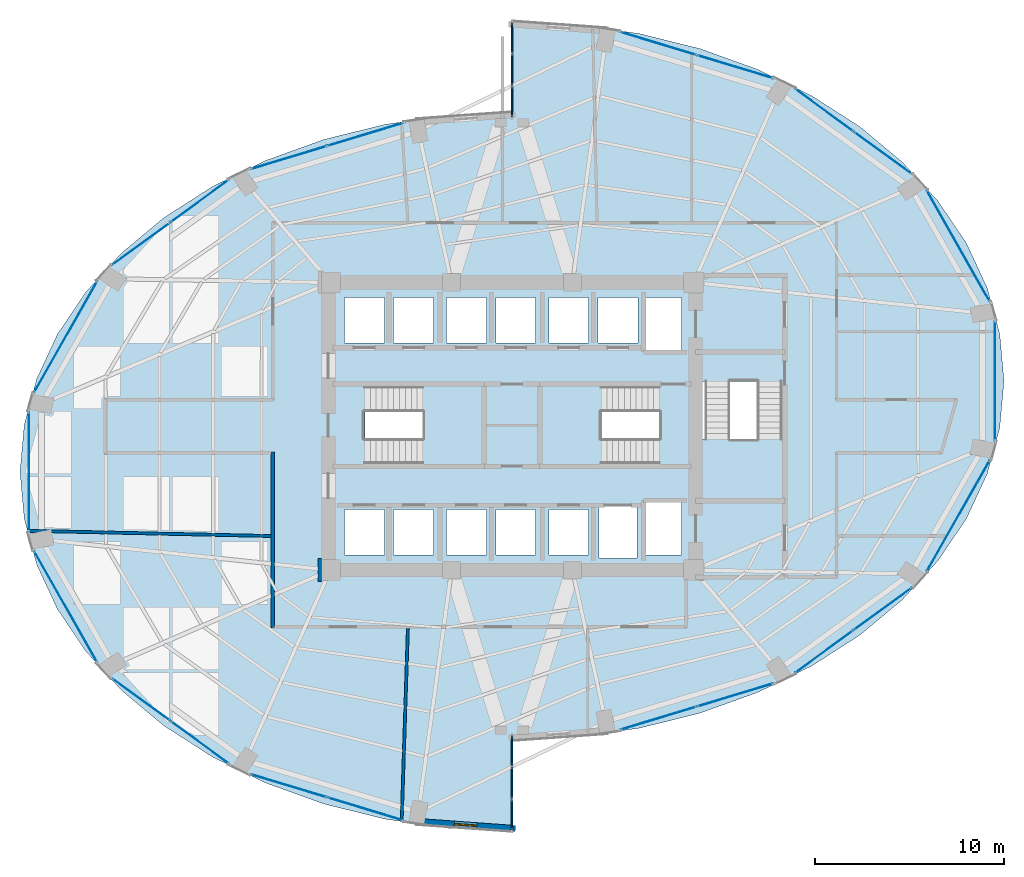
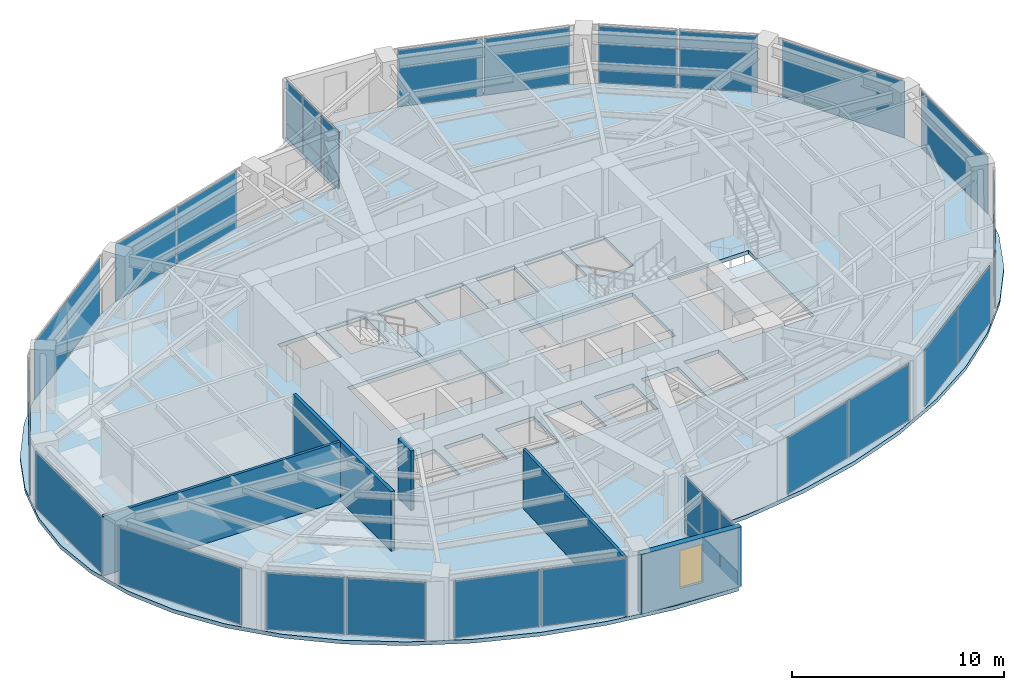
# One storey, part 19 of 24: 34 plates, 5 walls, 4 slabs, 1 window, 1 opening, 19 elements without a shape of their own.
"""IFC4 building model written with IfcOpenShell, lengths in metres."""

from ifc_helpers import new_model, si_unit, direction, frame, frame_2d, origin, origin_2d, place, context, subcontext, project, spatial, polyline, rectangle, outline, extrude, material, layer, layer_set, type_object, element, fill, aggregate, save


model = new_model("IFC4")

# Units and contexts
model_context = context("Model", 3, precision=1e-05, world=origin(), true_north=direction((0.0, 1.0)))
body_context = subcontext(model_context, "Body", "Model", "MODEL_VIEW")
ifc_project = project(units=[si_unit("LENGTHUNIT", "METRE"), si_unit("AREAUNIT", "SQUARE_METRE"), si_unit("VOLUMEUNIT", "CUBIC_METRE"), si_unit("PLANEANGLEUNIT", "RADIAN"), si_unit("MASSUNIT", "GRAM", prefix="KILO")], contexts=[model_context])

# Site, building, storey
site_placement = place(None, origin())
site = spatial("IfcSite", under=ifc_project, at=site_placement, CompositionType="ELEMENT")
building_placement = place(site_placement, origin())
building = spatial("IfcBuilding", under=site, at=building_placement, Name="Lazwardi Medical Tower", CompositionType="ELEMENT")
storey_placement = place(building_placement, frame((0.0, 0.0, 103.632080078125)))
storey = spatial("IfcBuildingStorey", under=building, at=storey_placement, Name="L26", CompositionType="ELEMENT", Elevation=103.632080078125)

# Curtain wall, plates
ifc_material_1 = material(Name="Anodised bronze aluminium and solar control glazing", Category="aluminium")
ifc_layer_1 = layer(ifc_material_1, 0.195068359375)
ifc_layer_set_1 = layer_set([ifc_layer_1], Name="Anodised bronze aluminium and solar control glazing")
curtain_wall_type_1 = type_object("IfcCurtainWallType", Name="CW-SYS-03", PredefinedType="NOTDEFINED", material=ifc_layer_set_1)
curtain_wall_1_placement = place(storey_placement, origin())
curtain_wall_1 = element("IfcCurtainWall", 1, at=curtain_wall_1_placement, inside=storey, type_object=curtain_wall_type_1, Name="L26 Unitised bronze curtain wall CW-03", PredefinedType="NOTDEFINED")
ifc_material_2 = material(Name="Low-e bronze solar control double glazing", Category="glass")
ifc_layer_2 = layer(ifc_material_2, 0.035888671875)
ifc_layer_set_2 = layer_set([ifc_layer_2], Name="Low-e bronze solar control double glazing")
plate_type_1 = type_object("IfcPlateType", Name="PLT-GLZ-01", PredefinedType="CURTAIN_PANEL", material=ifc_layer_set_2)
plate_1_placement = place(storey_placement, frame((43.73974609375, 12.573486328125, 0.07470703125), z_axis=(0.0, 0.0, 1.0), x_axis=(0.957216170558, 0.28937381157, 0.0)))
plate_1 = element("IfcPlate", 2, at=plate_1_placement, type_object=plate_type_1, Name="CW-03 panel 1.1", PredefinedType="CURTAIN_PANEL", context=body_context, shape_type="SweptSolid", body=[
    extrude(rectangle(XDim=4.16552734375, YDim=0.035888671875, at=origin_2d()), origin(), (0.0, 0.0, 1.0), 3.278076171875),
])
plate_2_placement = place(storey_placement, frame((47.798828125, 13.800537109375, 0.07470703125), z_axis=(0.0, 0.0, 1.0), x_axis=(0.957216170558, 0.28937381157, 0.0)))
plate_2 = element("IfcPlate", 3, at=plate_2_placement, type_object=plate_type_1, Name="CW-03 panel 2.1", PredefinedType="CURTAIN_PANEL", context=body_context, shape_type="SweptSolid", body=[
    extrude(rectangle(XDim=4.16552734375, YDim=0.035888671875, at=origin_2d()), origin(), (0.0, 0.0, 1.0), 3.278076171875),
])
aggregate(curtain_wall_1, [plate_1, plate_2])

curtain_wall_2_placement = place(storey_placement, origin())
curtain_wall_2 = element("IfcCurtainWall", 4, at=curtain_wall_2_placement, inside=storey, type_object=curtain_wall_type_1, Name="L26 Unitised bronze curtain wall CW-03", PredefinedType="NOTDEFINED")
plate_3_placement = place(storey_placement, frame((52.4990234375, 16.093017578125, 0.07470703125), z_axis=(0.0, 0.0, 1.0), x_axis=(0.807745837639, 0.589530882802, 0.0)))
plate_3 = element("IfcPlate", 5, at=plate_3_placement, type_object=plate_type_1, Name="CW-03 panel 1.1", PredefinedType="CURTAIN_PANEL", context=body_context, shape_type="SweptSolid", body=[
    extrude(rectangle(XDim=3.767578125, YDim=0.035888671875, at=origin_2d()), origin(), (0.0, 0.0, 1.0), 3.278076171875),
])
plate_4_placement = place(storey_placement, frame((55.60302734375, 18.3583984375, 0.07470703125), z_axis=(0.0, 0.0, 1.0), x_axis=(0.807745837639, 0.589530882802, 0.0)))
plate_4 = element("IfcPlate", 6, at=plate_4_placement, type_object=plate_type_1, Name="CW-03 panel 2.1", PredefinedType="CURTAIN_PANEL", context=body_context, shape_type="SweptSolid", body=[
    extrude(rectangle(XDim=3.767578125, YDim=0.035888671875, at=origin_2d()), origin(), (0.0, 0.0, 1.0), 3.278076171875),
])
aggregate(curtain_wall_2, [plate_3, plate_4])

# Curtain wall, plate
curtain_wall_3_placement = place(storey_placement, origin())
curtain_wall_3 = element("IfcCurtainWall", 7, at=curtain_wall_3_placement, inside=storey, type_object=curtain_wall_type_1, Name="L26 Unitised bronze curtain wall CW-03", PredefinedType="NOTDEFINED")
plate_5_placement = place(storey_placement, frame((59.5849609375, 23.270263671875, 0.07470703125), z_axis=(0.0, 0.0, 1.0), x_axis=(0.493603140041, 0.869687265712, 0.0)))
plate_5 = element("IfcPlate", 8, at=plate_5_placement, type_object=plate_type_1, Name="CW-03 panel 1.1", PredefinedType="CURTAIN_PANEL", context=body_context, shape_type="SweptSolid", body=[
    extrude(rectangle(XDim=6.722900390625, YDim=0.035888671875, at=origin_2d()), origin(), (0.0, 0.0, 1.0), 3.278076171875),
])
aggregate(curtain_wall_3, [plate_5])

curtain_wall_4_placement = place(storey_placement, origin())
curtain_wall_4 = element("IfcCurtainWall", 9, at=curtain_wall_4_placement, inside=storey, type_object=curtain_wall_type_1, Name="L26 Unitised bronze curtain wall CW-03", PredefinedType="NOTDEFINED")
plate_6_placement = place(storey_placement, frame((61.528076171875, 30.39990234375, 0.07470703125), z_axis=(0.0, 0.0, 1.0), x_axis=(0.0, 1.0, 0.0)))
plate_6 = element("IfcPlate", 10, at=plate_6_placement, type_object=plate_type_1, Name="CW-03 panel 1.1", PredefinedType="CURTAIN_PANEL", context=body_context, shape_type="SweptSolid", body=[
    extrude(rectangle(XDim=6.31982421875, YDim=0.035888671875, at=origin_2d()), origin(), (0.0, 0.0, 1.0), 3.278076171875),
])
aggregate(curtain_wall_4, [plate_6])

curtain_wall_5_placement = place(storey_placement, origin())
curtain_wall_5 = element("IfcCurtainWall", 11, at=curtain_wall_5_placement, inside=storey, type_object=curtain_wall_type_1, Name="L26 Unitised bronze curtain wall CW-03", PredefinedType="NOTDEFINED")
plate_7_placement = place(storey_placement, frame((59.5849609375, 37.52978515625, 0.07470703125), z_axis=(0.0, 0.0, 1.0), x_axis=(-0.493603140041, 0.869687265712, 0.0)))
plate_7 = element("IfcPlate", 12, at=plate_7_placement, type_object=plate_type_1, Name="CW-03 panel 1.1", PredefinedType="CURTAIN_PANEL", context=body_context, shape_type="SweptSolid", body=[
    extrude(rectangle(XDim=6.722900390625, YDim=0.035888671875, at=origin_2d()), origin(), (0.0, 0.0, 1.0), 3.278076171875),
])
aggregate(curtain_wall_5, [plate_7])

# Curtain wall, plates
curtain_wall_6_placement = place(storey_placement, origin())
curtain_wall_6 = element("IfcCurtainWall", 13, at=curtain_wall_6_placement, inside=storey, type_object=curtain_wall_type_1, Name="L26 Unitised bronze curtain wall CW-03", PredefinedType="NOTDEFINED")
plate_8_placement = place(storey_placement, frame((55.60302734375, 42.441650390625, 0.07470703125), z_axis=(0.0, 0.0, 1.0), x_axis=(-0.807745837639, 0.589530882802, 0.0)))
plate_8 = element("IfcPlate", 14, at=plate_8_placement, type_object=plate_type_1, Name="CW-03 panel 1.1", PredefinedType="CURTAIN_PANEL", context=body_context, shape_type="SweptSolid", body=[
    extrude(rectangle(XDim=3.767578125, YDim=0.035888671875, at=origin_2d()), origin(), (0.0, 0.0, 1.0), 3.278076171875),
])
plate_9_placement = place(storey_placement, frame((52.4990234375, 44.70703125, 0.07470703125), z_axis=(0.0, 0.0, 1.0), x_axis=(-0.807745837639, 0.589530882802, 0.0)))
plate_9 = element("IfcPlate", 15, at=plate_9_placement, type_object=plate_type_1, Name="CW-03 panel 2.1", PredefinedType="CURTAIN_PANEL", context=body_context, shape_type="SweptSolid", body=[
    extrude(rectangle(XDim=3.767578125, YDim=0.035888671875, at=origin_2d()), origin(), (0.0, 0.0, 1.0), 3.278076171875),
])
aggregate(curtain_wall_6, [plate_8, plate_9])

curtain_wall_7_placement = place(storey_placement, origin())
curtain_wall_7 = element("IfcCurtainWall", 16, at=curtain_wall_7_placement, inside=storey, type_object=curtain_wall_type_1, Name="L26 Unitised bronze curtain wall CW-03", PredefinedType="NOTDEFINED")
plate_10_placement = place(storey_placement, frame((47.798828125, 46.99951171875, 0.07470703125), z_axis=(0.0, 0.0, 1.0), x_axis=(-0.957216170558, 0.28937381157, 0.0)))
plate_10 = element("IfcPlate", 17, at=plate_10_placement, type_object=plate_type_1, Name="CW-03 panel 1.1", PredefinedType="CURTAIN_PANEL", context=body_context, shape_type="SweptSolid", body=[
    extrude(rectangle(XDim=4.16552734375, YDim=0.035888671875, at=origin_2d()), origin(), (0.0, 0.0, 1.0), 3.278076171875),
])
plate_11_placement = place(storey_placement, frame((43.73974609375, 48.2265625, 0.07470703125), z_axis=(0.0, 0.0, 1.0), x_axis=(-0.957216170558, 0.28937381157, 0.0)))
plate_11 = element("IfcPlate", 18, at=plate_11_placement, type_object=plate_type_1, Name="CW-03 panel 2.1", PredefinedType="CURTAIN_PANEL", context=body_context, shape_type="SweptSolid", body=[
    extrude(rectangle(XDim=4.16552734375, YDim=0.035888671875, at=origin_2d()), origin(), (0.0, 0.0, 1.0), 3.278076171875),
])
aggregate(curtain_wall_7, [plate_10, plate_11])

curtain_wall_8_placement = place(storey_placement, origin())
curtain_wall_8 = element("IfcCurtainWall", 19, at=curtain_wall_8_placement, inside=storey, type_object=curtain_wall_type_1, Name="L26 Unitised bronze curtain wall CW-03", PredefinedType="NOTDEFINED")
plate_12_placement = place(storey_placement, frame((28.26025390625, 43.426513671875, 0.07470703125), z_axis=(0.0, 0.0, 1.0), x_axis=(-0.957216170558, -0.28937381157, 0.0)))
plate_12 = element("IfcPlate", 20, at=plate_12_placement, type_object=plate_type_1, Name="CW-03 panel 1.1", PredefinedType="CURTAIN_PANEL", context=body_context, shape_type="SweptSolid", body=[
    extrude(rectangle(XDim=4.16552734375, YDim=0.035888671875, at=origin_2d()), origin(), (0.0, 0.0, 1.0), 3.278076171875),
])
plate_13_placement = place(storey_placement, frame((24.201171875, 42.199462890625, 0.07470703125), z_axis=(0.0, 0.0, 1.0), x_axis=(-0.957216170558, -0.28937381157, 0.0)))
plate_13 = element("IfcPlate", 21, at=plate_13_placement, type_object=plate_type_1, Name="CW-03 panel 2.1", PredefinedType="CURTAIN_PANEL", context=body_context, shape_type="SweptSolid", body=[
    extrude(rectangle(XDim=4.16552734375, YDim=0.035888671875, at=origin_2d()), origin(), (0.0, 0.0, 1.0), 3.278076171875),
])
aggregate(curtain_wall_8, [plate_12, plate_13])

curtain_wall_9_placement = place(storey_placement, origin())
curtain_wall_9 = element("IfcCurtainWall", 22, at=curtain_wall_9_placement, inside=storey, type_object=curtain_wall_type_1, Name="L26 Unitised bronze curtain wall CW-03", PredefinedType="NOTDEFINED")
plate_14_placement = place(storey_placement, frame((19.5009765625, 39.906982421875, 0.07470703125), z_axis=(0.0, 0.0, 1.0), x_axis=(-0.807745837639, -0.589530882802, 0.0)))
plate_14 = element("IfcPlate", 23, at=plate_14_placement, type_object=plate_type_1, Name="CW-03 panel 1.1", PredefinedType="CURTAIN_PANEL", context=body_context, shape_type="SweptSolid", body=[
    extrude(rectangle(XDim=3.767578125, YDim=0.035888671875, at=origin_2d()), origin(), (0.0, 0.0, 1.0), 3.278076171875),
])
plate_15_placement = place(storey_placement, frame((16.39697265625, 37.6416015625, 0.07470703125), z_axis=(0.0, 0.0, 1.0), x_axis=(-0.807745837639, -0.589530882802, 0.0)))
plate_15 = element("IfcPlate", 24, at=plate_15_placement, type_object=plate_type_1, Name="CW-03 panel 2.1", PredefinedType="CURTAIN_PANEL", context=body_context, shape_type="SweptSolid", body=[
    extrude(rectangle(XDim=3.767578125, YDim=0.035888671875, at=origin_2d()), origin(), (0.0, 0.0, 1.0), 3.278076171875),
])
aggregate(curtain_wall_9, [plate_14, plate_15])

# Curtain wall, plate
curtain_wall_10_placement = place(storey_placement, origin())
curtain_wall_10 = element("IfcCurtainWall", 25, at=curtain_wall_10_placement, inside=storey, type_object=curtain_wall_type_1, Name="L26 Unitised bronze curtain wall CW-03", PredefinedType="NOTDEFINED")
plate_16_placement = place(storey_placement, frame((12.4150390625, 32.729736328125, 0.07470703125), z_axis=(0.0, 0.0, 1.0), x_axis=(-0.493603140041, -0.869687265712, 0.0)))
plate_16 = element("IfcPlate", 26, at=plate_16_placement, type_object=plate_type_1, Name="CW-03 panel 1.1", PredefinedType="CURTAIN_PANEL", context=body_context, shape_type="SweptSolid", body=[
    extrude(rectangle(XDim=6.722900390625, YDim=0.035888671875, at=origin_2d()), origin(), (0.0, 0.0, 1.0), 3.278076171875),
])
aggregate(curtain_wall_10, [plate_16])

curtain_wall_11_placement = place(storey_placement, origin())
curtain_wall_11 = element("IfcCurtainWall", 27, at=curtain_wall_11_placement, inside=storey, type_object=curtain_wall_type_1, Name="L26 Unitised bronze curtain wall CW-03", PredefinedType="NOTDEFINED")
plate_17_placement = place(storey_placement, frame((10.471923828125, 25.60009765625, 0.07470703125), z_axis=(0.0, 0.0, 1.0), x_axis=(0.0, -1.0, 0.0)))
plate_17 = element("IfcPlate", 28, at=plate_17_placement, type_object=plate_type_1, Name="CW-03 panel 1.1", PredefinedType="CURTAIN_PANEL", context=body_context, shape_type="SweptSolid", body=[
    extrude(rectangle(XDim=6.31982421875, YDim=0.035888671875, at=origin_2d()), origin(), (0.0, 0.0, 1.0), 3.278076171875),
])
aggregate(curtain_wall_11, [plate_17])

curtain_wall_12_placement = place(storey_placement, origin())
curtain_wall_12 = element("IfcCurtainWall", 29, at=curtain_wall_12_placement, inside=storey, type_object=curtain_wall_type_1, Name="L26 Unitised bronze curtain wall CW-03", PredefinedType="NOTDEFINED")
plate_18_placement = place(storey_placement, frame((12.4150390625, 18.47021484375, 0.07470703125), z_axis=(0.0, 0.0, 1.0), x_axis=(0.493603140041, -0.869687265712, 0.0)))
plate_18 = element("IfcPlate", 30, at=plate_18_placement, type_object=plate_type_1, Name="CW-03 panel 1.1", PredefinedType="CURTAIN_PANEL", context=body_context, shape_type="SweptSolid", body=[
    extrude(rectangle(XDim=6.722900390625, YDim=0.035888671875, at=origin_2d()), origin(), (0.0, 0.0, 1.0), 3.278076171875),
])
aggregate(curtain_wall_12, [plate_18])

# Curtain wall, plates
curtain_wall_13_placement = place(storey_placement, origin())
curtain_wall_13 = element("IfcCurtainWall", 31, at=curtain_wall_13_placement, inside=storey, type_object=curtain_wall_type_1, Name="L26 Unitised bronze curtain wall CW-03", PredefinedType="NOTDEFINED")
plate_19_placement = place(storey_placement, frame((16.39697265625, 13.558349609375, 0.07470703125), z_axis=(0.0, 0.0, 1.0), x_axis=(0.807745837639, -0.589530882802, 0.0)))
plate_19 = element("IfcPlate", 32, at=plate_19_placement, type_object=plate_type_1, Name="CW-03 panel 1.1", PredefinedType="CURTAIN_PANEL", context=body_context, shape_type="SweptSolid", body=[
    extrude(rectangle(XDim=3.767578125, YDim=0.035888671875, at=origin_2d()), origin(), (0.0, 0.0, 1.0), 3.278076171875),
])
plate_20_placement = place(storey_placement, frame((19.5009765625, 11.29296875, 0.07470703125), z_axis=(0.0, 0.0, 1.0), x_axis=(0.807745837639, -0.589530882802, 0.0)))
plate_20 = element("IfcPlate", 33, at=plate_20_placement, type_object=plate_type_1, Name="CW-03 panel 2.1", PredefinedType="CURTAIN_PANEL", context=body_context, shape_type="SweptSolid", body=[
    extrude(rectangle(XDim=3.767578125, YDim=0.035888671875, at=origin_2d()), origin(), (0.0, 0.0, 1.0), 3.278076171875),
])
aggregate(curtain_wall_13, [plate_19, plate_20])

curtain_wall_14_placement = place(storey_placement, origin())
curtain_wall_14 = element("IfcCurtainWall", 34, at=curtain_wall_14_placement, inside=storey, type_object=curtain_wall_type_1, Name="L26 Unitised bronze curtain wall CW-03", PredefinedType="NOTDEFINED")
plate_21_placement = place(storey_placement, frame((24.201171875, 9.00048828125, 0.07470703125), z_axis=(0.0, 0.0, 1.0), x_axis=(0.957216170558, -0.28937381157, 0.0)))
plate_21 = element("IfcPlate", 35, at=plate_21_placement, type_object=plate_type_1, Name="CW-03 panel 1.1", PredefinedType="CURTAIN_PANEL", context=body_context, shape_type="SweptSolid", body=[
    extrude(rectangle(XDim=4.16552734375, YDim=0.035888671875, at=origin_2d()), origin(), (0.0, 0.0, 1.0), 3.278076171875),
])
plate_22_placement = place(storey_placement, frame((28.26025390625, 7.7734375, 0.07470703125), z_axis=(0.0, 0.0, 1.0), x_axis=(0.957216170558, -0.28937381157, 0.0)))
plate_22 = element("IfcPlate", 36, at=plate_22_placement, type_object=plate_type_1, Name="CW-03 panel 2.1", PredefinedType="CURTAIN_PANEL", context=body_context, shape_type="SweptSolid", body=[
    extrude(rectangle(XDim=4.16552734375, YDim=0.035888671875, at=origin_2d()), origin(), (0.0, 0.0, 1.0), 3.278076171875),
])
aggregate(curtain_wall_14, [plate_21, plate_22])

ifc_layer_3 = layer(ifc_material_1, 0.2099609375)
ifc_layer_set_3 = layer_set([ifc_layer_3], Name="Anodised bronze aluminium and solar control glazing")
curtain_wall_type_2 = type_object("IfcCurtainWallType", Name="CW-SYS-06", PredefinedType="NOTDEFINED", material=ifc_layer_set_3)
curtain_wall_15_placement = place(storey_placement, origin())
curtain_wall_15 = element("IfcCurtainWall", 37, at=curtain_wall_15_placement, inside=storey, type_object=curtain_wall_type_2, Name="L26 Unitised bronze curtain wall CW-06", PredefinedType="NOTDEFINED")
ifc_material_3 = material(Name="Turquoise glazed ceramic insulated panel", Category="glass")
ifc_layer_4 = layer(ifc_material_3, 0.053955078125)
ifc_layer_set_4 = layer_set([ifc_layer_4], Name="Turquoise glazed ceramic insulated panel")
plate_type_2 = type_object("IfcPlateType", Name="PLT-TRQ-01", PredefinedType="CURTAIN_PANEL", material=ifc_layer_set_4)
plate_23_placement = place(storey_placement, frame((36.0, 48.52783203125, 0.074951171875), z_axis=(0.0, 0.0, 1.0), x_axis=(0.0, -1.0, 0.0)))
plate_23 = element("IfcPlate", 38, at=plate_23_placement, type_object=plate_type_2, Name="CW-06 panel 1.1", PredefinedType="CURTAIN_PANEL", context=body_context, shape_type="SweptSolid", body=[
    extrude(rectangle(XDim=1.59423828125, YDim=0.053955078125, at=origin_2d()), origin(), (0.0, 0.0, 1.0), 0.78759765625),
])
plate_24_placement = place(storey_placement, frame((36.0, 48.52783203125, 0.9375), z_axis=(0.0, 0.0, 1.0), x_axis=(0.0, -1.0, 0.0)))
plate_24 = element("IfcPlate", 39, at=plate_24_placement, type_object=plate_type_2, Name="CW-06 panel 1.2", PredefinedType="CURTAIN_PANEL", context=body_context, shape_type="SweptSolid", body=[
    extrude(rectangle(XDim=1.59423828125, YDim=0.053955078125, at=origin_2d()), origin(), (0.0, 0.0, 1.0), 2.41552734375),
])
plate_25_placement = place(storey_placement, frame((36.0, 46.840087890625, 0.074951171875), z_axis=(0.0, 0.0, 1.0), x_axis=(0.0, -1.0, 0.0)))
plate_25 = element("IfcPlate", 40, at=plate_25_placement, type_object=plate_type_2, Name="CW-06 panel 2.1", PredefinedType="CURTAIN_PANEL", context=body_context, shape_type="SweptSolid", body=[
    extrude(rectangle(XDim=1.631591796875, YDim=0.053955078125, at=origin_2d()), origin(), (0.0, 0.0, 1.0), 0.78759765625),
])
plate_26_placement = place(storey_placement, frame((36.0, 46.840087890625, 0.9375), z_axis=(0.0, 0.0, 1.0), x_axis=(0.0, -1.0, 0.0)))
plate_26 = element("IfcPlate", 41, at=plate_26_placement, type_object=plate_type_2, Name="CW-06 panel 2.2", PredefinedType="CURTAIN_PANEL", context=body_context, shape_type="SweptSolid", body=[
    extrude(rectangle(XDim=1.631591796875, YDim=0.053955078125, at=origin_2d()), origin(), (0.0, 0.0, 1.0), 2.41552734375),
])
plate_27_placement = place(storey_placement, frame((36.0, 45.152099609375, 0.074951171875), z_axis=(0.0, 0.0, 1.0), x_axis=(0.0, -1.0, 0.0)))
plate_27 = element("IfcPlate", 42, at=plate_27_placement, type_object=plate_type_2, Name="CW-06 panel 3.1", PredefinedType="CURTAIN_PANEL", context=body_context, shape_type="SweptSolid", body=[
    extrude(rectangle(XDim=1.59423828125, YDim=0.053955078125, at=origin_2d()), origin(), (0.0, 0.0, 1.0), 0.78759765625),
])
plate_28_placement = place(storey_placement, frame((36.0, 45.152099609375, 0.9375), z_axis=(0.0, 0.0, 1.0), x_axis=(0.0, -1.0, 0.0)))
plate_28 = element("IfcPlate", 43, at=plate_28_placement, type_object=plate_type_2, Name="CW-06 panel 3.2", PredefinedType="CURTAIN_PANEL", context=body_context, shape_type="SweptSolid", body=[
    extrude(rectangle(XDim=1.59423828125, YDim=0.053955078125, at=origin_2d()), origin(), (0.0, 0.0, 1.0), 2.41552734375),
])
aggregate(curtain_wall_15, [plate_23, plate_24, plate_25, plate_26, plate_27, plate_28])

curtain_wall_16_placement = place(storey_placement, origin())
curtain_wall_16 = element("IfcCurtainWall", 44, at=curtain_wall_16_placement, inside=storey, type_object=curtain_wall_type_2, Name="L26 Unitised bronze curtain wall CW-06", PredefinedType="NOTDEFINED")
plate_29_placement = place(storey_placement, frame((36.0, 7.47216796875, 0.074951171875), z_axis=(0.0, 0.0, 1.0), x_axis=(0.0, 1.0, 0.0)))
plate_29 = element("IfcPlate", 45, at=plate_29_placement, type_object=plate_type_2, Name="CW-06 panel 1.1", PredefinedType="CURTAIN_PANEL", context=body_context, shape_type="SweptSolid", body=[
    extrude(rectangle(XDim=1.59423828125, YDim=0.053955078125, at=origin_2d()), origin(), (0.0, 0.0, 1.0), 0.78759765625),
])
plate_30_placement = place(storey_placement, frame((36.0, 7.47216796875, 0.9375), z_axis=(0.0, 0.0, 1.0), x_axis=(0.0, 1.0, 0.0)))
plate_30 = element("IfcPlate", 46, at=plate_30_placement, type_object=plate_type_2, Name="CW-06 panel 1.2", PredefinedType="CURTAIN_PANEL", context=body_context, shape_type="SweptSolid", body=[
    extrude(rectangle(XDim=1.59423828125, YDim=0.053955078125, at=origin_2d()), origin(), (0.0, 0.0, 1.0), 2.41552734375),
])
plate_31_placement = place(storey_placement, frame((36.0, 9.159912109375, 0.074951171875), z_axis=(0.0, 0.0, 1.0), x_axis=(0.0, 1.0, 0.0)))
plate_31 = element("IfcPlate", 47, at=plate_31_placement, type_object=plate_type_2, Name="CW-06 panel 2.1", PredefinedType="CURTAIN_PANEL", context=body_context, shape_type="SweptSolid", body=[
    extrude(rectangle(XDim=1.631591796875, YDim=0.053955078125, at=origin_2d()), origin(), (0.0, 0.0, 1.0), 0.78759765625),
])
plate_32_placement = place(storey_placement, frame((36.0, 9.159912109375, 0.9375), z_axis=(0.0, 0.0, 1.0), x_axis=(0.0, 1.0, 0.0)))
plate_32 = element("IfcPlate", 48, at=plate_32_placement, type_object=plate_type_2, Name="CW-06 panel 2.2", PredefinedType="CURTAIN_PANEL", context=body_context, shape_type="SweptSolid", body=[
    extrude(rectangle(XDim=1.631591796875, YDim=0.053955078125, at=origin_2d()), origin(), (0.0, 0.0, 1.0), 2.41552734375),
])
plate_33_placement = place(storey_placement, frame((36.0, 10.847900390625, 0.074951171875), z_axis=(0.0, 0.0, 1.0), x_axis=(0.0, 1.0, 0.0)))
plate_33 = element("IfcPlate", 49, at=plate_33_placement, type_object=plate_type_2, Name="CW-06 panel 3.1", PredefinedType="CURTAIN_PANEL", context=body_context, shape_type="SweptSolid", body=[
    extrude(rectangle(XDim=1.59423828125, YDim=0.053955078125, at=origin_2d()), origin(), (0.0, 0.0, 1.0), 0.78759765625),
])
plate_34_placement = place(storey_placement, frame((36.0, 10.847900390625, 0.9375), z_axis=(0.0, 0.0, 1.0), x_axis=(0.0, 1.0, 0.0)))
plate_34 = element("IfcPlate", 50, at=plate_34_placement, type_object=plate_type_2, Name="CW-06 panel 3.2", PredefinedType="CURTAIN_PANEL", context=body_context, shape_type="SweptSolid", body=[
    extrude(rectangle(XDim=1.59423828125, YDim=0.053955078125, at=origin_2d()), origin(), (0.0, 0.0, 1.0), 2.41552734375),
])
aggregate(curtain_wall_16, [plate_29, plate_30, plate_31, plate_32, plate_33, plate_34])

# Stair, slab
ifc_material_4 = material(Name="Concrete C45/55", Category="concrete")
stair_type = type_object("IfcStairType", Name="STR-WRD", PredefinedType="HALF_TURN_STAIR", material=ifc_material_4)
stair_1_placement = place(storey_placement, origin())
stair_1 = element("IfcStair", 51, at=stair_1_placement, inside=storey, type_object=stair_type, Name="L26 Protected Exit Stair ST1", PredefinedType="HALF_TURN_STAIR")
ifc_layer_5 = layer(ifc_material_4, 0.199951171875)
ifc_layer_set_5 = layer_set([ifc_layer_5], Name="Concrete C45/55")
slab_type_1 = type_object("IfcSlabType", Name="SLB-LND-190", PredefinedType="LANDING", material=ifc_layer_set_5)
slab_1_placement = place(storey_placement, frame((0.0, 0.0, 1.6240234375)))
slab_1 = element("IfcSlab", 52, at=slab_1_placement, type_object=slab_type_1, Name="ST1 landing 1", PredefinedType="LANDING", context=body_context, shape_type="SweptSolid", body=[
    extrude(outline(polyline([(31.27490234375, 25.840087890625), (34.580078125, 25.840087890625), (34.580078125, 30.280029296875), (31.27490234375, 30.280029296875), (31.27490234375, 25.840087890625)])), origin(), (0.0, 0.0, 1.0), 0.199951171875),
])
aggregate(stair_1, [slab_1])

stair_2_placement = place(storey_placement, origin())
stair_2 = element("IfcStair", 53, at=stair_2_placement, inside=storey, type_object=stair_type, Name="L26 Protected Exit Stair ST2", PredefinedType="HALF_TURN_STAIR")
slab_2_placement = place(storey_placement, frame((0.0, 0.0, 1.6240234375)))
slab_2 = element("IfcSlab", 54, at=slab_2_placement, type_object=slab_type_1, Name="ST2 landing 1", PredefinedType="LANDING", context=body_context, shape_type="SweptSolid", body=[
    extrude(outline(polyline([(40.72509765625, 30.280029296875), (37.419921875, 30.280029296875), (37.419921875, 25.840087890625), (40.72509765625, 25.840087890625), (40.72509765625, 30.280029296875)])), origin(), (0.0, 0.0, 1.0), 0.199951171875),
])
aggregate(stair_2, [slab_2])

stair_3_placement = place(storey_placement, origin())
stair_3 = element("IfcStair", 55, at=stair_3_placement, inside=storey, type_object=stair_type, Name="L26 Protected Exit Stair ST3", PredefinedType="HALF_TURN_STAIR")
slab_3_placement = place(storey_placement, frame((0.0, 0.0, 1.6240234375)))
slab_3 = element("IfcSlab", 56, at=slab_3_placement, type_object=slab_type_1, Name="ST3 landing 1", PredefinedType="LANDING", context=body_context, shape_type="SweptSolid", body=[
    extrude(outline(polyline([(45.860107421875, 27.324951171875), (45.860107421875, 24.02001953125), (50.4599609375, 24.02001953125), (50.4599609375, 27.324951171875), (45.860107421875, 27.324951171875)])), origin(), (0.0, 0.0, 1.0), 0.199951171875),
])
aggregate(stair_3, [slab_3])

# Slab
ifc_material_5 = material(Name="Concrete C50/60", Category="concrete")
ifc_layer_6 = layer(ifc_material_5, 0.219970703125)
ifc_layer_set_6 = layer_set([ifc_layer_6], Name="Concrete C50/60")
slab_type_2 = type_object("IfcSlabType", Name="SLB-WRD-220", PredefinedType="FLOOR", material=ifc_layer_set_6)
slab_4_placement = place(storey_placement, frame((0.0, 0.0, -0.219970703125)))
element("IfcSlab", 57, at=slab_4_placement, inside=storey, type_object=slab_type_2, Name="Structural floor slab SF-03 L26", PredefinedType="FLOOR", context=body_context, shape_type="SweptSolid", body=[
    extrude(outline(polyline([(11.97900390625, 32.87109375), (10.885986328125, 30.517578125), (10.222412109375, 28.080078125), (10.0, 25.60009765625), (10.222412109375, 23.1201171875), (10.885986328125, 20.682373046875), (11.97900390625, 18.3291015625), (13.4833984375, 16.10009765625), (15.372802734375, 14.033447265625), (17.615234375, 12.1650390625), (20.172119140625, 10.5263671875), (23.0, 9.1455078125), (26.05029296875, 8.04638671875), (29.270751953125, 7.247314453125), (32.606201171875, 6.762451171875), (36.0, 6.60009765625), (36.0, 11.39990234375), (39.393798828125, 11.5625), (42.729248046875, 12.04736328125), (45.94970703125, 12.84619140625), (49.0, 13.945556640625), (51.827880859375, 15.326416015625), (54.384765625, 16.965087890625), (56.627197265625, 18.83349609375), (58.5166015625, 20.89990234375), (60.02099609375, 23.12890625), (61.114013671875, 25.482421875), (61.777587890625, 27.919921875), (62.0, 30.39990234375), (61.777587890625, 32.8798828125), (61.114013671875, 35.317626953125), (60.02099609375, 37.6708984375), (58.5166015625, 39.89990234375), (56.627197265625, 41.966552734375), (54.384765625, 43.8349609375), (51.827880859375, 45.4736328125), (49.0, 46.8544921875), (45.94970703125, 47.95361328125), (42.729248046875, 48.752685546875), (39.393798828125, 49.237548828125), (36.0, 49.39990234375), (36.0, 44.60009765625), (32.606201171875, 44.4375), (29.270751953125, 43.95263671875), (26.05029296875, 43.15380859375), (23.0, 42.054443359375), (20.172119140625, 40.673583984375), (17.615234375, 39.034912109375), (15.372802734375, 37.16650390625), (13.4833984375, 35.10009765625), (11.97900390625, 32.87109375)]), holes=[polyline([(28.22509765625, 26.02001953125), (28.22509765625, 30.10009765625), (34.39990234375, 30.10009765625), (34.39990234375, 26.02001953125), (28.22509765625, 26.02001953125)]), polyline([(37.60009765625, 30.10009765625), (43.77490234375, 30.10009765625), (43.77490234375, 26.02001953125), (37.60009765625, 26.02001953125), (37.60009765625, 30.10009765625)]), polyline([(50.280029296875, 30.375), (50.280029296875, 24.179931640625), (45.840087890625, 24.179931640625), (45.840087890625, 30.375), (50.280029296875, 30.375)]), polyline([(29.25, 32.39990234375), (27.14990234375, 32.39990234375), (27.14990234375, 34.800048828125), (29.25, 34.800048828125), (29.25, 32.39990234375)]), polyline([(29.75, 32.39990234375), (29.75, 34.800048828125), (31.85009765625, 34.800048828125), (31.85009765625, 32.39990234375), (29.75, 32.39990234375)]), polyline([(27.14990234375, 23.60009765625), (29.25, 23.60009765625), (29.25, 21.199951171875), (27.14990234375, 21.199951171875), (27.14990234375, 23.60009765625)]), polyline([(31.85009765625, 23.60009765625), (31.85009765625, 21.199951171875), (29.75, 21.199951171875), (29.75, 23.60009765625), (31.85009765625, 23.60009765625)]), polyline([(34.64990234375, 32.39990234375), (32.550048828125, 32.39990234375), (32.550048828125, 34.800048828125), (34.64990234375, 34.800048828125), (34.64990234375, 32.39990234375)]), polyline([(35.14990234375, 32.39990234375), (35.14990234375, 34.800048828125), (37.25, 34.800048828125), (37.25, 32.39990234375), (35.14990234375, 32.39990234375)]), polyline([(32.550048828125, 23.60009765625), (34.64990234375, 23.60009765625), (34.64990234375, 21.199951171875), (32.550048828125, 21.199951171875), (32.550048828125, 23.60009765625)]), polyline([(37.25, 23.60009765625), (37.25, 21.199951171875), (35.14990234375, 21.199951171875), (35.14990234375, 23.60009765625), (37.25, 23.60009765625)]), polyline([(40.050048828125, 32.39990234375), (37.949951171875, 32.39990234375), (37.949951171875, 34.800048828125), (40.050048828125, 34.800048828125), (40.050048828125, 32.39990234375)]), polyline([(40.550048828125, 32.39990234375), (40.550048828125, 34.800048828125), (42.64990234375, 34.800048828125), (42.64990234375, 32.39990234375), (40.550048828125, 32.39990234375)]), polyline([(37.949951171875, 23.60009765625), (40.050048828125, 23.60009765625), (40.050048828125, 21.199951171875), (37.949951171875, 21.199951171875), (37.949951171875, 23.60009765625)]), polyline([(44.949951171875, 34.800048828125), (44.949951171875, 32.0), (43.050048828125, 32.0), (43.050048828125, 34.800048828125), (44.949951171875, 34.800048828125)]), polyline([(44.949951171875, 21.199951171875), (43.050048828125, 21.199951171875), (43.050048828125, 24.0), (44.949951171875, 24.0), (44.949951171875, 21.199951171875)]), polyline([(40.60009765625, 21.050048828125), (40.60009765625, 23.75), (42.60009765625, 23.75), (42.60009765625, 21.050048828125), (40.60009765625, 21.050048828125)])]), origin(), (0.0, 0.0, 1.0), 0.219970703125),
])

# Walls
ifc_material_6 = material(Name="Fire-rated gypsum board on steel stud", Category="steel")
ifc_layer_7 = layer(ifc_material_6, 0.179931640625)
ifc_layer_set_7 = layer_set([ifc_layer_7], Name="Fire-rated gypsum board on steel stud")
wall_type_1 = type_object("IfcWallType", Name="WL-COR-180", PredefinedType="PARTITIONING", material=ifc_layer_set_7)
wall_1_placement = place(storey_placement, frame((25.830078125, 21.010009765625, 0.0), z_axis=(0.0, 0.0, 1.0), x_axis=(0.0, -1.0, 0.0)))
element("IfcWall", 58, at=wall_1_placement, inside=storey, type_object=wall_type_1, Name="L26 Corridor partition 12", PredefinedType="PARTITIONING", context=body_context, shape_type="SweptSolid", body=[
    extrude(rectangle(XDim=1.219970703125, YDim=0.179931640625, at=frame_2d((0.60986328125, 0.0))), origin(), (0.0, 0.0, 1.0), 3.427978515625),
])
wall_2_placement = place(storey_placement, frame((23.35009765625, 17.360107421875, 0.0), z_axis=(0.0, 0.0, 1.0), x_axis=(0.0, 1.0, 0.0)))
element("IfcWall", 59, at=wall_2_placement, inside=storey, type_object=wall_type_1, Name="L26 Corridor partition 15", PredefinedType="PARTITIONING", context=body_context, shape_type="SweptSolid", body=[
    extrude(rectangle(XDim=9.27978515625, YDim=0.179931640625, at=frame_2d((4.639892578125, 0.0))), origin(), (0.0, 0.0, 1.0), 3.427978515625),
])

# Wall, opening, window
ifc_material_7 = material(Name="Precast concrete C45/55", Category="concrete")
ifc_layer_8 = layer(ifc_material_7, 0.320068359375)
ifc_layer_set_8 = layer_set([ifc_layer_8], Name="Precast concrete C45/55")
wall_type_2 = type_object("IfcWallType", Name="WL-IWAN-320", PredefinedType="SOLIDWALL", material=ifc_layer_set_8)
wall_3_placement = place(storey_placement, frame((30.908935546875, 7.12548828125, 0.0), z_axis=(0.0, 0.0, 1.0), x_axis=(0.997431890304, -0.071621394884, 0.0)))
wall_3 = element("IfcWall", 60, at=wall_3_placement, inside=storey, type_object=wall_type_2, Name="L26 Iwan Portal Return Wall SW_ret", PredefinedType="SOLIDWALL", context=body_context, shape_type="SweptSolid", body=[
    extrude(rectangle(XDim=5.28369140625, YDim=0.320068359375, at=frame_2d((2.641845703125, 0.0))), origin(), (0.0, 0.0, 1.0), 3.427978515625),
])
opening_placement = place(wall_3_placement, frame((2.041748046875, 0.0, 0.85009765625)))
opening = element("IfcOpeningElement", 61, at=opening_placement, cuts=wall_3, Name="Opening WN-01", PredefinedType="OPENING", context=body_context, shape_type="SweptSolid", body=[
    extrude(rectangle(XDim=1.199951171875, YDim=2.199951171875, at=frame_2d((0.60009765625, 1.10009765625))), frame((0.0, 0.169921875, 0.0), z_axis=(0.0, -1.0, 0.0), x_axis=(1.0, 0.0, 0.0)), (0.0, 0.0, 1.0), 0.340087890625),
])
window_type = type_object("IfcWindowType", Name="WIN-IW-1200", PartitioningType="SINGLE_PANEL", PredefinedType="WINDOW", material=ifc_material_2)
window_placement = place(opening_placement, origin())
window = element("IfcWindow", 62, at=window_placement, inside=storey, type_object=window_type, Name="L26 Iwan Slot Window SW_ret", OverallHeight=2.199951171875, OverallWidth=1.199951171875, PartitioningType="SINGLE_PANEL", PredefinedType="WINDOW", context=body_context, shape_type="SweptSolid", body=[
    extrude(rectangle(XDim=1.199951171875, YDim=2.199951171875, at=frame_2d((0.60009765625, 1.10009765625))), frame((0.0, 0.030029296875, 0.0), z_axis=(0.0, -1.0, 0.0), x_axis=(1.0, 0.0, 0.0)), (0.0, 0.0, 1.0), 0.06005859375),
])
fill(opening, window)

# Walls
ifc_material_8 = material(Name="Acoustic gypsum board partition")
ifc_layer_9 = layer(ifc_material_8, 0.14990234375)
ifc_layer_set_9 = layer_set([ifc_layer_9], Name="Acoustic gypsum board partition")
wall_type_3 = type_object("IfcWallType", Name="WL-WRD-150", PredefinedType="PARTITIONING", material=ifc_layer_set_9)
wall_4_placement = place(storey_placement, frame((10.46533203125, 22.47900390625, 0.0), z_axis=(0.0, 0.0, 1.0), x_axis=(0.999765147572, -0.021671402821, 0.0)))
element("IfcWall", 63, at=wall_4_placement, inside=storey, type_object=wall_type_3, Name="L26 Room partition 1", PredefinedType="PARTITIONING", context=body_context, shape_type="SweptSolid", body=[
    extrude(rectangle(XDim=12.797607421875, YDim=0.14990234375, at=frame_2d((6.39892578125, 0.0))), origin(), (0.0, 0.0, 1.0), 3.427978515625),
])
wall_5_placement = place(storey_placement, frame((30.17138671875, 7.194580078125, 0.0), z_axis=(0.0, 0.0, 1.0), x_axis=(0.03222807912, 0.999480540539, 0.0)))
element("IfcWall", 64, at=wall_5_placement, inside=storey, type_object=wall_type_3, Name="L26 Room partition 9", PredefinedType="PARTITIONING", context=body_context, shape_type="SweptSolid", body=[
    extrude(rectangle(XDim=10.120849609375, YDim=0.14990234375, at=frame_2d((5.060546875, 0.0))), origin(), (0.0, 0.0, 1.0), 3.427978515625),
])

save(model, "model.ifc")
